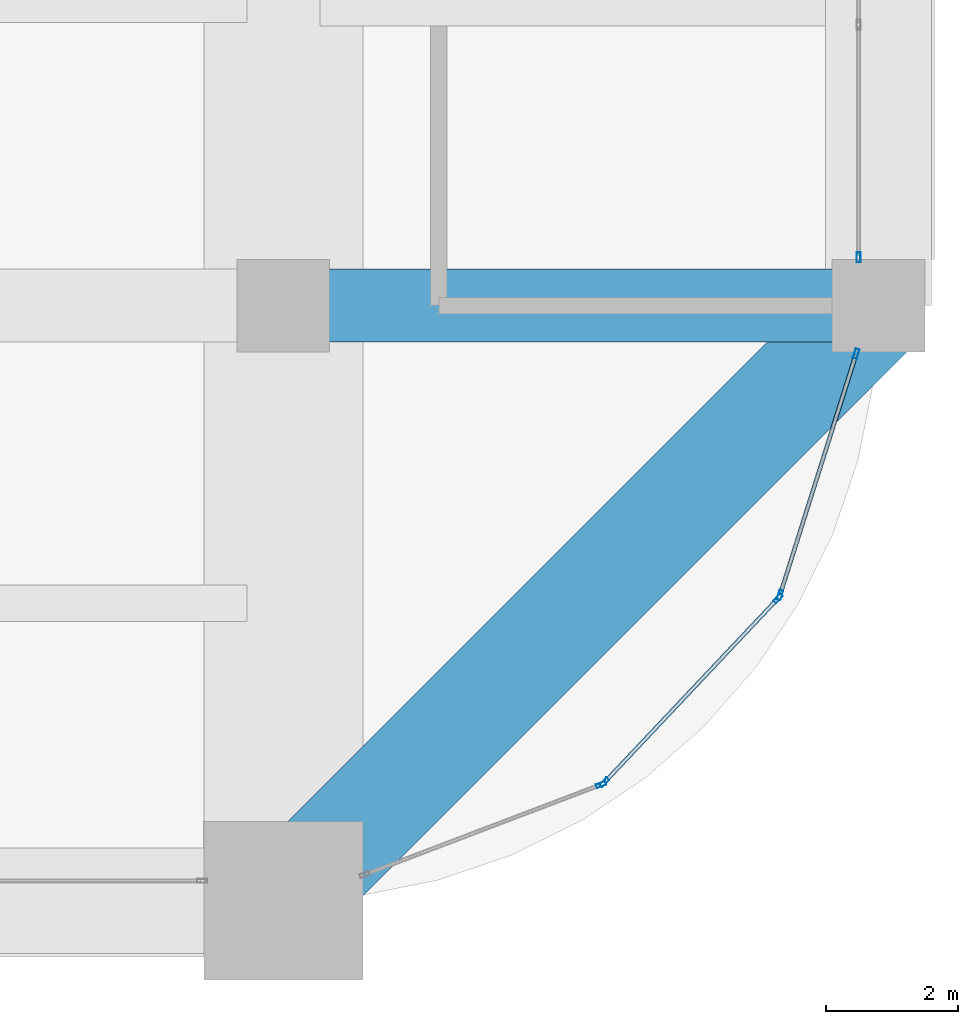
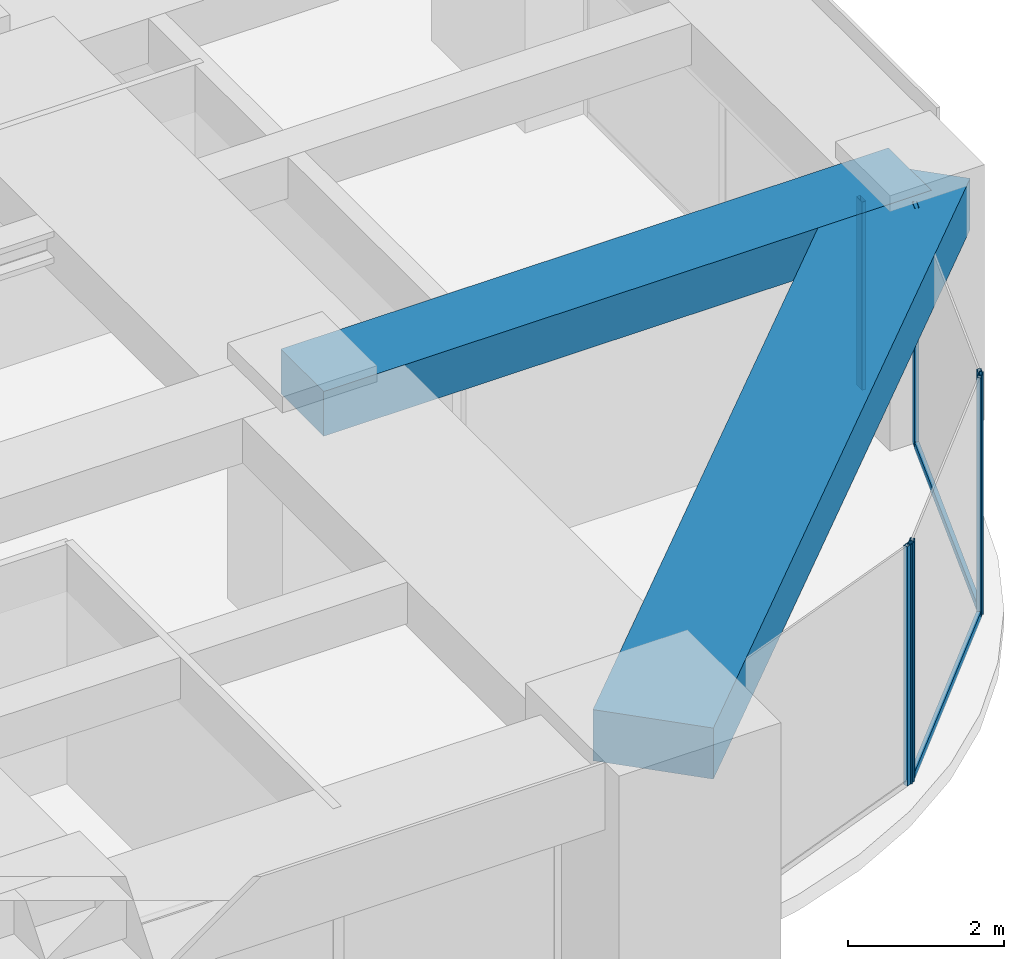
# One storey, part 16 of 34: 8 members, 2 beams, 4 elements without a shape of their own.
"""IFC4 building model written with IfcOpenShell, lengths in metres."""

from ifc_helpers import new_model, si_unit, direction, frame, origin, origin_2d, place, context, subcontext, project, spatial, rectangle, hollow_rectangle, extrude, material, material_profile, profile_set, type_object, element, aggregate, save


model = new_model("IFC4")

# Units and contexts
model_context = context("Model", 3, precision=1e-05, world=origin(), true_north=direction((0.0, 1.0)))
body_context = subcontext(model_context, "Body", "Model", "MODEL_VIEW")
ifc_project = project(units=[si_unit("LENGTHUNIT", "METRE"), si_unit("AREAUNIT", "SQUARE_METRE"), si_unit("VOLUMEUNIT", "CUBIC_METRE"), si_unit("PLANEANGLEUNIT", "RADIAN"), si_unit("MASSUNIT", "GRAM", prefix="KILO")], contexts=[model_context])

# Site, building, storey
site_placement = place(None, origin())
site = spatial("IfcSite", under=ifc_project, at=site_placement, CompositionType="ELEMENT")
building_placement = place(site_placement, origin())
building = spatial("IfcBuilding", under=site, at=building_placement, Name="Zorevar Civic Tower", CompositionType="ELEMENT")
storey_placement = place(building_placement, frame((0.0, 0.0, 226.199951171875)))
storey = spatial("IfcBuildingStorey", under=building, at=storey_placement, Name="L55", CompositionType="ELEMENT", Elevation=226.199951171875)

# Beam
ifc_material_1 = material(Name="Concrete C50/60", Category="concrete")
ifc_material_profile_1 = material_profile(ifc_material_1, rectangle(XDim=1.10009765625, YDim=0.699951171875, at=origin_2d()), Name="RC 1100x700")
ifc_profile_set_1 = profile_set([ifc_material_profile_1], Name="Concrete C50/60")
beam_type_1 = type_object("IfcBeamType", Name="Beam RC 1100x700", PredefinedType="BEAM", material=ifc_profile_set_1)
beam_1_placement = place(storey_placement, frame((45.0, 9.0, 3.400146484375), z_axis=(1.0, 0.0, 0.0), x_axis=(0.0, 1.0, 0.0)))
element("IfcBeam", 1, at=beam_1_placement, inside=storey, type_object=beam_type_1, Name="Girder L56", PredefinedType="BEAM", context=body_context, shape_type="SweptSolid", body=[
    extrude(rectangle(XDim=1.10009765625, YDim=0.699951171875, at=origin_2d()), origin(), (0.0, 0.0, 1.0), 9.0),
])

# Curtain wall, member
ifc_material_2 = material(Name="Dark grey solar-control glass in black aluminium frame", Category="aluminium")
curtain_wall_type = type_object("IfcCurtainWallType", Name="Curtain wall CW4 high zone", PredefinedType="NOTDEFINED", material=ifc_material_2)
curtain_wall_1_placement = place(storey_placement, origin())
curtain_wall_1 = element("IfcCurtainWall", 2, at=curtain_wall_1_placement, inside=storey, type_object=curtain_wall_type, Name="CW4 L55", PredefinedType="NOTDEFINED")
ifc_material_3 = material(Name="Aluminium, black anodised", Category="aluminium")
ifc_material_profile_2 = material_profile(ifc_material_3, hollow_rectangle(XDim=0.06005859375, YDim=0.14990234375, WallThickness=0.00390625, at=origin_2d()), Name="AL 150x60x4")
ifc_profile_set_2 = profile_set([ifc_material_profile_2], Name="Aluminium, black anodised")
member_type_1 = type_object("IfcMemberType", Name="CW4 mullion AL 150x60x4", PredefinedType="MULLION", material=ifc_profile_set_2)
member_1_placement = place(storey_placement, frame((53.699951171875, 9.72998046875, 0.0), z_axis=(0.0, 0.0, 1.0), x_axis=(-1.0, 0.0, 0.0)))
member_1 = element("IfcMember", 3, at=member_1_placement, type_object=member_type_1, Name="CW4 mullion 1", PredefinedType="MULLION", context=body_context, shape_type="SweptSolid", body=[
    extrude(hollow_rectangle(XDim=0.06005859375, YDim=0.14990234375, WallThickness=0.00390625, at=origin_2d()), origin(), (0.0, 0.0, 1.0), 2.949951171875),
])
aggregate(curtain_wall_1, [member_1])

curtain_wall_2_placement = place(storey_placement, origin())
curtain_wall_2 = element("IfcCurtainWall", 4, at=curtain_wall_2_placement, inside=storey, type_object=curtain_wall_type, Name="CW4 L55", PredefinedType="NOTDEFINED")
member_2_placement = place(storey_placement, frame((49.804931640625, 1.75537109375, 0.0), z_axis=(0.0, 0.0, 1.0), x_axis=(-0.355730895803, 0.93458842801, 0.0)))
member_2 = element("IfcMember", 5, at=member_2_placement, type_object=member_type_1, Name="CW4 mullion 2", PredefinedType="MULLION", context=body_context, shape_type="SweptSolid", body=[
    extrude(hollow_rectangle(XDim=0.06005859375, YDim=0.14990234375, WallThickness=0.00390625, at=origin_2d()), origin(), (0.0, 0.0, 1.0), 3.75),
])
aggregate(curtain_wall_2, [member_2])

# Curtain wall, members
curtain_wall_3_placement = place(storey_placement, origin())
curtain_wall_3 = element("IfcCurtainWall", 6, at=curtain_wall_3_placement, inside=storey, type_object=curtain_wall_type, Name="CW4 L55", PredefinedType="NOTDEFINED")
member_3_placement = place(storey_placement, frame((49.853759765625, 1.787841796875, 0.0), z_axis=(0.0, 0.0, 1.0), x_axis=(-0.727245053898, 0.686377907265, 0.0)))
member_3 = element("IfcMember", 7, at=member_3_placement, type_object=member_type_1, Name="CW4 mullion 1", PredefinedType="MULLION", context=body_context, shape_type="SweptSolid", body=[
    extrude(hollow_rectangle(XDim=0.06005859375, YDim=0.14990234375, WallThickness=0.00390625, at=origin_2d()), origin(), (0.0, 0.0, 1.0), 3.75),
])
member_4_placement = place(storey_placement, frame((52.480712890625, 4.5712890625, 0.0), z_axis=(0.0, 0.0, 1.0), x_axis=(-0.727245053898, 0.686377907265, 0.0)))
member_4 = element("IfcMember", 8, at=member_4_placement, type_object=member_type_1, Name="CW4 mullion 2", PredefinedType="MULLION", context=body_context, shape_type="SweptSolid", body=[
    extrude(hollow_rectangle(XDim=0.06005859375, YDim=0.14990234375, WallThickness=0.00390625, at=origin_2d()), origin(), (0.0, 0.0, 1.0), 3.75),
])

curtain_wall_4_placement = place(storey_placement, origin())
curtain_wall_4 = element("IfcCurtainWall", 9, at=curtain_wall_4_placement, inside=storey, type_object=curtain_wall_type, Name="CW4 L55", PredefinedType="NOTDEFINED")
member_5_placement = place(storey_placement, frame((52.51025390625, 4.62158203125, 0.0), z_axis=(0.0, 0.0, 1.0), x_axis=(-0.953589950678, 0.301108296077, 0.0)))
member_5 = element("IfcMember", 10, at=member_5_placement, type_object=member_type_1, Name="CW4 mullion 1", PredefinedType="MULLION", context=body_context, shape_type="SweptSolid", body=[
    extrude(hollow_rectangle(XDim=0.06005859375, YDim=0.14990234375, WallThickness=0.00390625, at=origin_2d()), origin(), (0.0, 0.0, 1.0), 3.75),
])
member_6_placement = place(storey_placement, frame((53.66259765625, 8.271484375, 0.0), z_axis=(0.0, 0.0, 1.0), x_axis=(-0.953589950678, 0.301108296077, 0.0)))
member_6 = element("IfcMember", 11, at=member_6_placement, type_object=member_type_1, Name="CW4 mullion 2", PredefinedType="MULLION", context=body_context, shape_type="SweptSolid", body=[
    extrude(hollow_rectangle(XDim=0.06005859375, YDim=0.14990234375, WallThickness=0.00390625, at=origin_2d()), origin(), (0.0, 0.0, 1.0), 3.75),
])

# Member
ifc_material_4 = material(Name="Aluminium, black anodised", Category="aluminium")
ifc_material_profile_3 = material_profile(ifc_material_4, hollow_rectangle(XDim=0.06005859375, YDim=0.1201171875, WallThickness=0.0029296875, at=origin_2d()), Name="AL 120x60x3")
ifc_profile_set_3 = profile_set([ifc_material_profile_3], Name="Aluminium, black anodised")
member_type_2 = type_object("IfcMemberType", Name="CW4 transom AL 120x60x3", PredefinedType="USERDEFINED", material=ifc_profile_set_3)
member_7_placement = place(storey_placement, frame((49.874267578125, 1.8095703125, 0.030029296875), z_axis=(0.686332338526, 0.727288059227, 0.0), x_axis=(-0.727288059227, 0.686332338526, 0.0)))
member_7 = element("IfcMember", 12, at=member_7_placement, type_object=member_type_2, Name="CW4 sill transom", ObjectType="TRANSOM", PredefinedType="USERDEFINED", context=body_context, shape_type="SweptSolid", body=[
    extrude(hollow_rectangle(XDim=0.06005859375, YDim=0.1201171875, WallThickness=0.0029296875, at=origin_2d()), origin(), (0.0, 0.0, 1.0), 3.767333984375),
])

aggregate(curtain_wall_3, [member_3, member_4, member_7])

member_8_placement = place(storey_placement, frame((52.519287109375, 4.650390625, 0.030029296875), z_axis=(0.301100351109, 0.953592459367, 0.0), x_axis=(-0.953592459367, 0.301100351109, 0.0)))
member_8 = element("IfcMember", 13, at=member_8_placement, type_object=member_type_2, Name="CW4 sill transom", ObjectType="TRANSOM", PredefinedType="USERDEFINED", context=body_context, shape_type="SweptSolid", body=[
    extrude(hollow_rectangle(XDim=0.06005859375, YDim=0.1201171875, WallThickness=0.0029296875, at=origin_2d()), origin(), (0.0, 0.0, 1.0), 3.76708984375),
])

aggregate(curtain_wall_4, [member_5, member_6, member_8])

# Beam
ifc_material_5 = material(Name="Concrete C50/60", Category="concrete")
ifc_material_profile_4 = material_profile(ifc_material_5, rectangle(XDim=1.60009765625, YDim=0.800048828125, at=origin_2d()), Name="RC 1600x800")
ifc_profile_set_4 = profile_set([ifc_material_profile_4], Name="Concrete C50/60")
beam_type_2 = type_object("IfcBeamType", Name="Edge beam RC 1600x800", PredefinedType="SPANDREL", material=ifc_profile_set_4)
beam_2_placement = place(storey_placement, frame((45.0, 0.0, 3.35009765625), z_axis=(0.707106781187, 0.707106781187, 0.0), x_axis=(-0.707106781187, 0.707106781187, 0.0)))
element("IfcBeam", 14, at=beam_2_placement, inside=storey, type_object=beam_type_2, Name="Corner edge beam L56", PredefinedType="SPANDREL", context=body_context, shape_type="SweptSolid", body=[
    extrude(rectangle(XDim=1.60009765625, YDim=0.800048828125, at=origin_2d()), origin(), (0.0, 0.0, 1.0), 12.72802734375),
])

save(model, "model.ifc")
